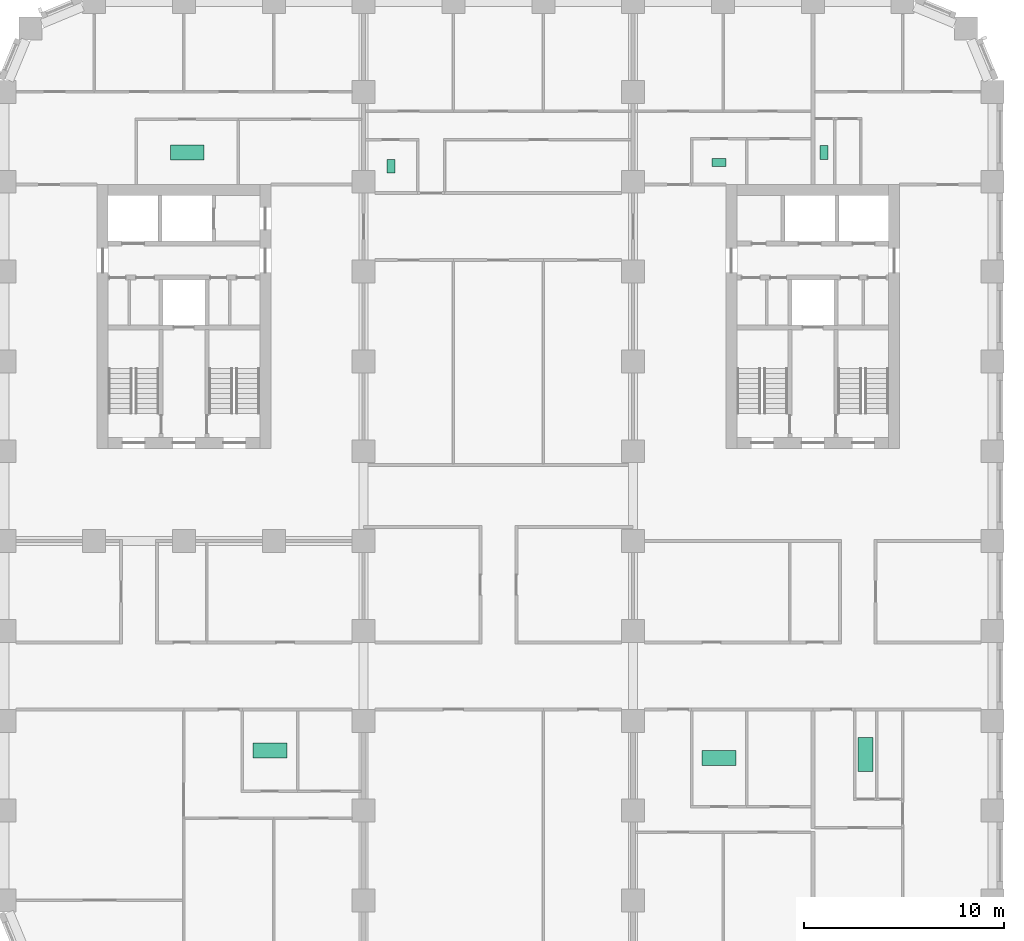
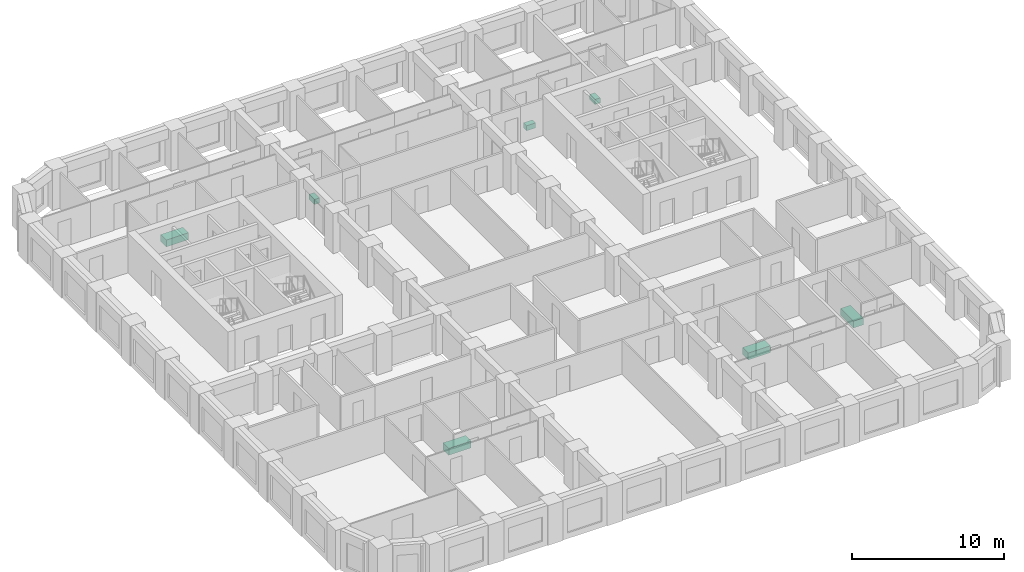
# One storey, part 13 of 13: 7 sanitary terminals.
"""IFC4 building model written with IfcOpenShell, lengths in metres."""

import ifcopenshell
import ifcopenshell.guid

model = None  # the IFC model being written
_history = None  # IfcOwnerHistory: only IFC2X3 demands one
_inside = {}  # id of a spatial element -> (the spatial element, [elements in it])
_under = {}  # id of a project, library or spatial element -> (it, [spatial elements below it])
_declared = {}  # id of a project -> (the project, [libraries it declares])
_typed = {}  # id of a type object -> (the type object, [elements of that type])
_made_of = {}  # id of a material, layer set ... -> (it, [elements and type objects made of it])


def new_model(schema):
    """Start an empty IFC model of exactly this schema.

    Asked for "IFC4X3", IfcOpenShell would pick the latest addendum, in which some entities
    have other attributes; the version numbers below select the first issue.
    IFC2X3 requires an IfcOwnerHistory on every rooted entity: one is made here for all.
    """
    global model, _history
    if schema == "IFC4X3":
        model = ifcopenshell.file(schema_version=(4, 3, 0, 0))
    else:
        model = ifcopenshell.file(schema=schema)
    _inside.clear()
    _under.clear()
    _declared.clear()
    _typed.clear()
    _made_of.clear()
    _history = None
    if model.schema == "IFC2X3":
        org = make("IfcOrganization", Name="unknown")
        user = make(
            "IfcPersonAndOrganization",
            ThePerson=make("IfcPerson", FamilyName="unknown"),
            TheOrganization=org,
        )
        app = make(
            "IfcApplication",
            ApplicationDeveloper=org,
            Version="unknown",
            ApplicationFullName="unknown",
            ApplicationIdentifier="unknown",
        )
        _history = make(
            "IfcOwnerHistory",
            OwningUser=user,
            OwningApplication=app,
            ChangeAction="ADDED",
            CreationDate=0,
        )
    return model


def make(cls, **values):
    """One entity of the class cls with the attributes given. An attribute that is None is left unset."""
    return model.create_entity(
        cls, **{name: value for name, value in values.items() if value is not None}
    )


def rooted(cls, **values):
    """An entity with a GlobalId (a new one), such as an element, a storey or a relation."""
    return make(cls, GlobalId=ifcopenshell.guid.new(), OwnerHistory=_history, **values)


def si_unit(unit_type, name, prefix=None):
    """IfcSIUnit, for example si_unit("LENGTHUNIT", "METRE", prefix="MILLI")."""
    return make("IfcSIUnit", UnitType=unit_type, Prefix=prefix, Name=name)


def assignment(units):
    """IfcUnitAssignment: the units of a project."""
    return None if units is None else make("IfcUnitAssignment", Units=units)


def point(xyz):
    """IfcCartesianPoint."""
    return None if xyz is None else make("IfcCartesianPoint", Coordinates=xyz)


def direction(xyz):
    """IfcDirection."""
    return None if xyz is None else make("IfcDirection", DirectionRatios=xyz)


def frame(location, z_axis=None, x_axis=None):
    """IfcAxis2Placement3D, a coordinate frame: its origin and axes. An axis left out is left unset."""
    return make(
        "IfcAxis2Placement3D",
        Location=point(location),
        Axis=direction(z_axis),
        RefDirection=direction(x_axis),
    )


def frame_2d(location, x_axis=None):
    """IfcAxis2Placement2D, a coordinate frame in the plane: its origin and x axis."""
    return make(
        "IfcAxis2Placement2D", Location=point(location), RefDirection=direction(x_axis)
    )


def origin():
    """The frame at (0, 0, 0) with its axes left unset."""
    return frame((0.0, 0.0, 0.0))


def origin_2d():
    """The frame at (0, 0) in the plane with its x axis left unset."""
    return frame_2d((0.0, 0.0))


def place(relative_to, where):
    """IfcLocalPlacement: puts the frame where relative to a parent placement (None: the world)."""
    return make(
        "IfcLocalPlacement", PlacementRelTo=relative_to, RelativePlacement=where
    )


def context(
    kind, dimensions, precision=None, world=None, true_north=None, identifier=None
):
    """IfcGeometricRepresentationContext, for example the 3D "Model" context."""
    return make(
        "IfcGeometricRepresentationContext",
        ContextIdentifier=identifier,
        ContextType=kind,
        CoordinateSpaceDimension=dimensions,
        Precision=precision,
        WorldCoordinateSystem=world,
        TrueNorth=true_north,
    )


def subcontext(parent, identifier, kind, view, scale=None):
    """IfcGeometricRepresentationSubContext, for example "Body" below "Model"."""
    return make(
        "IfcGeometricRepresentationSubContext",
        ContextIdentifier=identifier,
        ContextType=kind,
        ParentContext=parent,
        TargetScale=scale,
        TargetView=view,
    )


def project(units=None, contexts=None):
    """IfcProject with its units and contexts."""
    return rooted(
        "IfcProject",
        Name="project",
        RepresentationContexts=contexts,
        UnitsInContext=assignment(units),
    )


def spatial(cls, under=None, at=None, **own):
    """A site, building, storey or space (cls), placed at a placement, below another one or the project."""
    s = rooted(cls, ObjectPlacement=at, **own)
    if under is not None:
        _under.setdefault(under.id(), (under, []))[1].append(s)
    return s


def profile(cls, at=None, kind="AREA", **sizes):
    """A parametric profile (cls). Its sizes go by their IFC names, for example OverallWidth=200.0."""
    return make(cls, ProfileType=kind, Position=at, **sizes)


def rectangle(**sizes):
    """IfcRectangleProfileDef."""
    return profile("IfcRectangleProfileDef", **sizes)


def extrude(swept, where, along, depth):
    """IfcExtrudedAreaSolid: the profile swept, set in the frame where, extruded along a direction by depth."""
    return make(
        "IfcExtrudedAreaSolid",
        SweptArea=swept,
        Position=where,
        ExtrudedDirection=direction(along),
        Depth=depth,
    )


def shape(context_of_items, identifier, shape_type, items):
    """IfcShapeRepresentation: the items that make up one representation, for example the "Body"."""
    return make(
        "IfcShapeRepresentation",
        ContextOfItems=context_of_items,
        RepresentationIdentifier=identifier,
        RepresentationType=shape_type,
        Items=items,
    )


def material(Name=None, Category=None):
    """IfcMaterial."""
    return make("IfcMaterial", Name=Name, Category=Category)


def made_of(thing, what):
    """Note that an element or type object is made of a material, layer set ...; save() writes the relation."""
    if what is not None:
        _made_of.setdefault(what.id(), (what, []))[1].append(thing)
    return thing


def type_object(cls, material=None, **own):
    """A type object (cls), such as IfcWallType, which elements share."""
    return made_of(rooted(cls, **own), material)


def element(
    cls,
    number,
    at=None,
    inside=None,
    cuts=None,
    type_object=None,
    material=None,
    context=None,
    identifier="Body",
    shape_type=None,
    held_by="IfcProductDefinitionShape",
    body=None,
    shapes=None,
    **own,
):
    """One element of the class cls, such as IfcWall. Its Tag is "e" and its number.

    at: its placement. inside: the storey or other place that contains it. cuts: it is an
    opening in that element (IfcRelVoidsElement). A single representation is given by context,
    identifier, shape_type and body (its items); several are given by shapes. held_by: the class
    of the entity that holds the representations. save() writes the other relations.
    """
    e = rooted(cls, Tag="e%d" % number, ObjectPlacement=at, **own)
    if body is not None:
        shapes = [shape(context, identifier, shape_type, body)]
    if shapes is not None:
        e.Representation = make(held_by, Representations=shapes)
    if inside is not None:
        _inside.setdefault(inside.id(), (inside, []))[1].append(e)
    if cuts is not None:
        rooted(
            "IfcRelVoidsElement", RelatingBuildingElement=cuts, RelatedOpeningElement=e
        )
    if type_object is not None:
        _typed.setdefault(type_object.id(), (type_object, []))[1].append(e)
    return made_of(e, material)


def aggregate(whole, parts):
    """IfcRelAggregates: a whole, such as a stair, and the parts it consists of."""
    return rooted("IfcRelAggregates", RelatingObject=whole, RelatedObjects=parts)


def save(model, path):
    """Write the relations noted so far, then the file.

    IfcRelAggregates (storeys below a building ...), IfcRelContainedInSpatialStructure (elements
    in a storey), IfcRelDefinesByType, IfcRelAssociatesMaterial and IfcRelDeclares: one each for
    every whole, place, type object, material and project.
    """
    for whole, parts in _under.values():
        aggregate(whole, parts)
    for where, things in _inside.values():
        rooted(
            "IfcRelContainedInSpatialStructure",
            RelatedElements=things,
            RelatingStructure=where,
        )
    for kind, things in _typed.values():
        rooted("IfcRelDefinesByType", RelatedObjects=things, RelatingType=kind)
    for what, things in _made_of.values():
        rooted("IfcRelAssociatesMaterial", RelatedObjects=things, RelatingMaterial=what)
    for by, libraries in _declared.values():
        rooted("IfcRelDeclares", RelatingContext=by, RelatedDefinitions=libraries)
    model.write(path)


model = new_model("IFC4")

# Units and contexts
model_context = context("Model", 3, precision=1e-05, world=origin(), true_north=direction((0.0, 1.0)))
body_context = subcontext(model_context, "Body", "Model", "MODEL_VIEW")
ifc_project = project(units=[si_unit("LENGTHUNIT", "METRE"), si_unit("AREAUNIT", "SQUARE_METRE"), si_unit("VOLUMEUNIT", "CUBIC_METRE"), si_unit("PLANEANGLEUNIT", "RADIAN"), si_unit("MASSUNIT", "GRAM", prefix="KILO")], contexts=[model_context])

# Site, building, storey
site_placement = place(None, origin())
site = spatial("IfcSite", under=ifc_project, at=site_placement, CompositionType="ELEMENT")
building_placement = place(site_placement, origin())
building = spatial("IfcBuilding", under=site, at=building_placement, Name="Girih Gate Residences", CompositionType="ELEMENT")
storey_placement = place(building_placement, frame((0.0, 0.0, 96.0)))
storey = spatial("IfcBuildingStorey", under=building, at=storey_placement, Name="L26", CompositionType="ELEMENT", Elevation=96.0)

# Sanitary terminals
ifc_material_1 = material(Name="Acrylic")
sanitary_terminal_type_1 = type_object("IfcSanitaryTerminalType", Name="Bath 1700", PredefinedType="BATH", material=ifc_material_1)
for number, where, z_axis, x_axis, name in (
    (1, (13.30810546875, 12.013916015625, 0.0), (0.0, 0.0, 1.0), (1.0, 0.0, 0.0), "Bath 1700 L26"),
    (2, (9.1640625, 41.9541015625, 0.0), (0.0, 0.0, 1.0), (1.0, 0.0, 0.0), "Bath 1700 L26"),
):
    element("IfcSanitaryTerminal", number, at=place(storey_placement, frame(where, z_axis=z_axis, x_axis=x_axis)), inside=storey, type_object=sanitary_terminal_type_1, Name=name, PredefinedType="BATH", context=body_context, shape_type="SweptSolid", body=[
        extrude(rectangle(XDim=1.699951171875, YDim=0.75, at=origin_2d()), origin(), (0.0, 0.0, 1.0), 0.550048828125),
    ])
sanitary_terminal_1_placement = place(storey_placement, frame((43.14501953125, 11.81396484375, 0.0), z_axis=(0.0, 0.0, 1.0), x_axis=(1.0, 0.0, 0.0)))
element("IfcSanitaryTerminal", 3, at=sanitary_terminal_1_placement, inside=storey, type_object=sanitary_terminal_type_1, Name="Bath 1700 L26", PredefinedType="BATH", context=body_context, shape_type="SweptSolid", body=[
    extrude(rectangle(XDim=0.75, YDim=1.699951171875, at=origin_2d()), origin(), (0.0, 0.0, 1.0), 0.550048828125),
])
sanitary_terminal_2_placement = place(storey_placement, frame((35.801025390625, 11.634033203125, 0.0), z_axis=(0.0, 0.0, 1.0), x_axis=(1.0, 0.0, 0.0)))
element("IfcSanitaryTerminal", 4, at=sanitary_terminal_2_placement, inside=storey, type_object=sanitary_terminal_type_1, Name="Bath 1700 L26", PredefinedType="BATH", context=body_context, shape_type="SweptSolid", body=[
    extrude(rectangle(XDim=1.699951171875, YDim=0.75, at=origin_2d()), origin(), (0.0, 0.0, 1.0), 0.550048828125),
])
ifc_material_2 = material(Name="Vitreous china")
sanitary_terminal_type_2 = type_object("IfcSanitaryTerminalType", Name="WC pan", PredefinedType="TOILETPAN", material=ifc_material_2)
sanitary_terminal_3_placement = place(storey_placement, frame((41.06396484375, 41.97412109375, 0.0), z_axis=(0.0, 0.0, 1.0), x_axis=(1.0, 0.0, 0.0)))
element("IfcSanitaryTerminal", 5, at=sanitary_terminal_3_placement, inside=storey, type_object=sanitary_terminal_type_2, Name="WC pan L26", PredefinedType="TOILETPAN", context=body_context, shape_type="SweptSolid", body=[
    extrude(rectangle(XDim=0.39990234375, YDim=0.699951171875, at=origin_2d()), origin(), (0.0, 0.0, 1.0), 0.39990234375),
])
sanitary_terminal_4_placement = place(storey_placement, frame((35.80810546875, 41.470947265625, 0.0), z_axis=(0.0, 0.0, 1.0), x_axis=(1.0, 0.0, 0.0)))
element("IfcSanitaryTerminal", 6, at=sanitary_terminal_4_placement, inside=storey, type_object=sanitary_terminal_type_2, Name="WC pan L26", PredefinedType="TOILETPAN", context=body_context, shape_type="SweptSolid", body=[
    extrude(rectangle(XDim=0.699951171875, YDim=0.39990234375, at=origin_2d()), origin(), (0.0, 0.0, 1.0), 0.39990234375),
])
sanitary_terminal_5_placement = place(storey_placement, frame((19.368896484375, 41.27587890625, 0.0), z_axis=(0.0, 0.0, 1.0), x_axis=(1.0, 0.0, 0.0)))
element("IfcSanitaryTerminal", 7, at=sanitary_terminal_5_placement, inside=storey, type_object=sanitary_terminal_type_2, Name="WC pan L26", PredefinedType="TOILETPAN", context=body_context, shape_type="SweptSolid", body=[
    extrude(rectangle(XDim=0.39990234375, YDim=0.699951171875, at=origin_2d()), origin(), (0.0, 0.0, 1.0), 0.39990234375),
])

save(model, "model.ifc")
